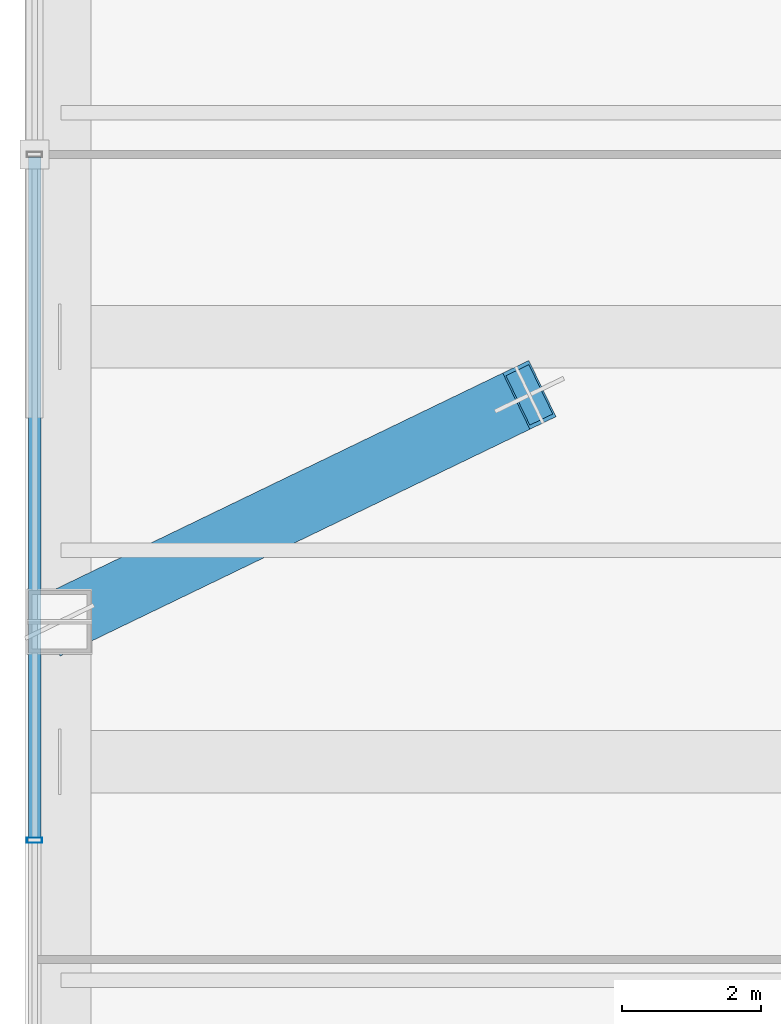
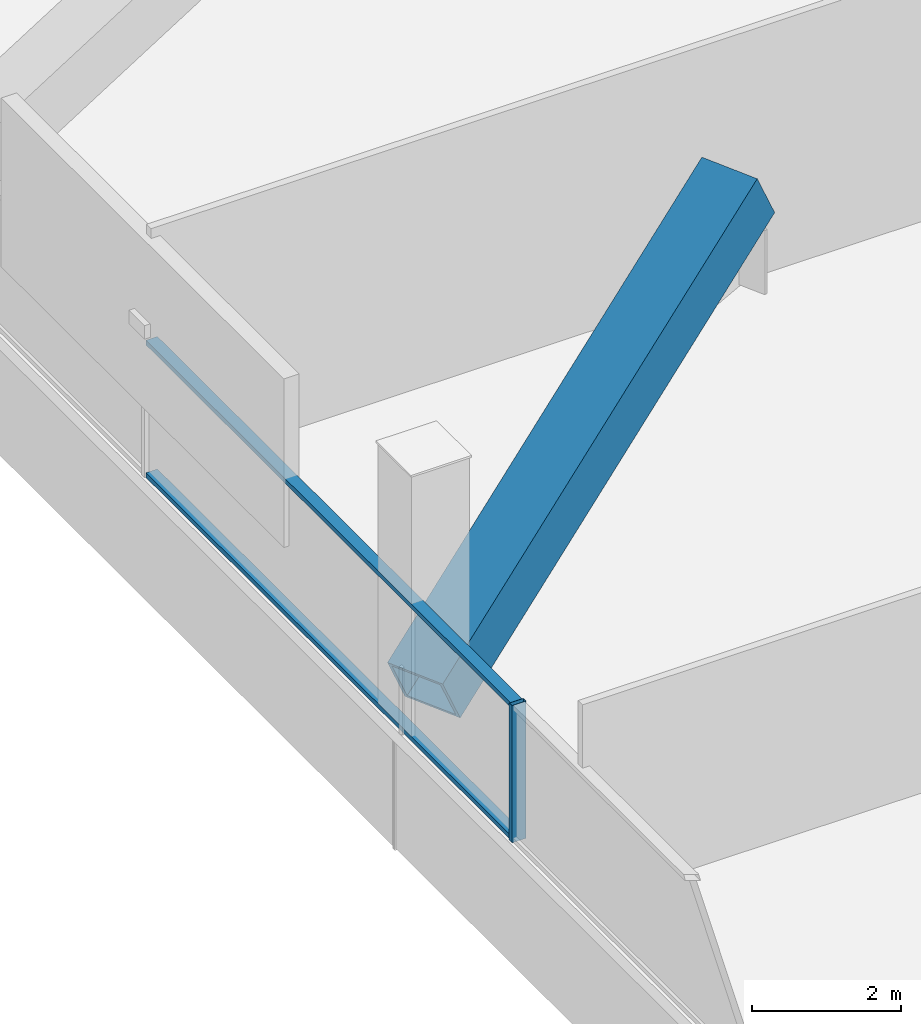
# One storey, part 6 of 38: 4 members, 1 element without a shape of its own.
"""IFC4 building model written with IfcOpenShell, lengths in metres."""

from ifc_helpers import new_model, si_unit, direction, frame, origin, origin_2d, place, context, subcontext, project, spatial, hollow_rectangle, extrude, material, layer, layer_set, material_profile, profile_set, type_object, element, aggregate, save


model = new_model("IFC4")

# Units and contexts
model_context = context("Model", 3, precision=1e-05, world=origin(), true_north=direction((0.0, 1.0)))
body_context = subcontext(model_context, "Body", "Model", "MODEL_VIEW")
ifc_project = project(units=[si_unit("LENGTHUNIT", "METRE"), si_unit("AREAUNIT", "SQUARE_METRE"), si_unit("VOLUMEUNIT", "CUBIC_METRE"), si_unit("PLANEANGLEUNIT", "RADIAN"), si_unit("MASSUNIT", "GRAM", prefix="KILO")], contexts=[model_context])

# Site, building, storey
site_placement = place(None, origin())
site = spatial("IfcSite", under=ifc_project, at=site_placement, CompositionType="ELEMENT")
building_placement = place(site_placement, origin())
building = spatial("IfcBuilding", under=site, at=building_placement, Name="Qhalaya Broadcast Tower", CompositionType="ELEMENT")
storey_placement = place(building_placement, frame((0.0, 0.0, 53.550048828125)))
storey = spatial("IfcBuildingStorey", under=building, at=storey_placement, Name="L15", CompositionType="ELEMENT", Elevation=53.550048828125)

# Member
ifc_material_1 = material(Name="Structural Steel ASTM A572 Grade 50", Category="steel")
ifc_material_profile_1 = material_profile(ifc_material_1, hollow_rectangle(XDim=0.89990234375, YDim=0.89990234375, WallThickness=0.054931640625, at=origin_2d()), Name="BOX 900x900x55")
ifc_profile_set_1 = profile_set([ifc_material_profile_1], Name="Structural Steel ASTM A572 Grade 50")
member_type_1 = type_object("IfcMemberType", Name="Heavy Exoskeleton Transfer Strut RK1", PredefinedType="BRACE", material=ifc_profile_set_1)
member_1_placement = place(storey_placement, frame((-25.89990234375, -6.7333984375, 0.408447265625), z_axis=(0.797517377217, 0.385212684834, 0.464302940418), x_axis=(-0.434936125375, 0.900461307799, 0.0)))
element("IfcMember", 1, at=member_1_placement, inside=storey, type_object=member_type_1, Name="L15 Inclined Exoskeleton Transfer Strut 15", PredefinedType="BRACE", context=body_context, shape_type="SweptSolid", body=[
    extrude(hollow_rectangle(XDim=0.89990234375, YDim=0.89990234375, WallThickness=0.054931640625, at=origin_2d()), origin(), (0.0, 0.0, 1.0), 8.48876953125),
])

# Curtain wall, members
ifc_material_2 = material(Name="Fired Architectural Terracotta", Category="masonry")
ifc_layer = layer(ifc_material_2, 0.219970703125, Name="Fired Architectural Terracotta")
ifc_layer_set = layer_set([ifc_layer], Name="Fired Architectural Terracotta")
curtain_wall_type = type_object("IfcCurtainWallType", Name="Block-Cap Unitised Terracotta Spandrel Wall CW-07", PredefinedType="NOTDEFINED", material=ifc_layer_set)
curtain_wall_placement = place(storey_placement, origin())
curtain_wall = element("IfcCurtainWall", 2, at=curtain_wall_placement, inside=storey, type_object=curtain_wall_type, Name="L15 Unitised Curtain Wall L15-CW-W", PredefinedType="NOTDEFINED")
ifc_material_3 = material(Name="Anodised Aluminium 6063-T6", Category="aluminium")
ifc_material_profile_2 = material_profile(ifc_material_3, hollow_rectangle(XDim=0.074951171875, YDim=0.219970703125, WallThickness=0.00390625, at=origin_2d()), Name="ALU-MUL 75x220x4")
ifc_profile_set_2 = profile_set([ifc_material_profile_2], Name="Anodised Aluminium 6063-T6")
member_type_2 = type_object("IfcMemberType", Name="Unitised Curtain-Wall Mullion M01", PredefinedType="MULLION", material=ifc_profile_set_2)
member_2_placement = place(storey_placement, frame((-26.260009765625, -9.881103515625, 0.0), z_axis=(0.0, 0.0, 1.0), x_axis=(0.0, 1.0, 0.0)))
member_2 = element("IfcMember", 3, at=member_2_placement, type_object=member_type_2, Name="CW-07 mullion 2", PredefinedType="MULLION", context=body_context, shape_type="SweptSolid", body=[
    extrude(hollow_rectangle(XDim=0.074951171875, YDim=0.219970703125, WallThickness=0.00390625, at=origin_2d()), origin(), (0.0, 0.0, 1.0), 2.25),
])
ifc_material_profile_3 = material_profile(ifc_material_3, hollow_rectangle(XDim=0.074951171875, YDim=0.179931640625, WallThickness=0.00390625, at=origin_2d()), Name="ALU-TRN 75x180x4")
ifc_profile_set_3 = profile_set([ifc_material_profile_3], Name="Anodised Aluminium 6063-T6")
member_type_3 = type_object("IfcMemberType", Name="Unitised Curtain-Wall Transom T01", PredefinedType="USERDEFINED", material=ifc_profile_set_3)
member_3_placement = place(storey_placement, frame((-26.260009765625, -9.843505859375, 0.037353515625), z_axis=(0.0, 1.0, 0.0), x_axis=(0.0, 0.0, 1.0)))
member_3 = element("IfcMember", 4, at=member_3_placement, type_object=member_type_3, Name="CW-07 transom 2.1", ObjectType="TRANSOM", PredefinedType="USERDEFINED", context=body_context, shape_type="SweptSolid", body=[
    extrude(hollow_rectangle(XDim=0.074951171875, YDim=0.179931640625, WallThickness=0.00390625, at=origin_2d()), origin(), (0.0, 0.0, 1.0), 9.805908203125),
])
member_4_placement = place(storey_placement, frame((-26.260009765625, -9.843505859375, 2.21240234375), z_axis=(0.0, 1.0, 0.0), x_axis=(0.0, 0.0, 1.0)))
member_4 = element("IfcMember", 5, at=member_4_placement, type_object=member_type_3, Name="CW-07 transom 2.2", ObjectType="TRANSOM", PredefinedType="USERDEFINED", context=body_context, shape_type="SweptSolid", body=[
    extrude(hollow_rectangle(XDim=0.074951171875, YDim=0.179931640625, WallThickness=0.00390625, at=origin_2d()), origin(), (0.0, 0.0, 1.0), 9.805908203125),
])
aggregate(curtain_wall, [member_2, member_3, member_4])

save(model, "model.ifc")
